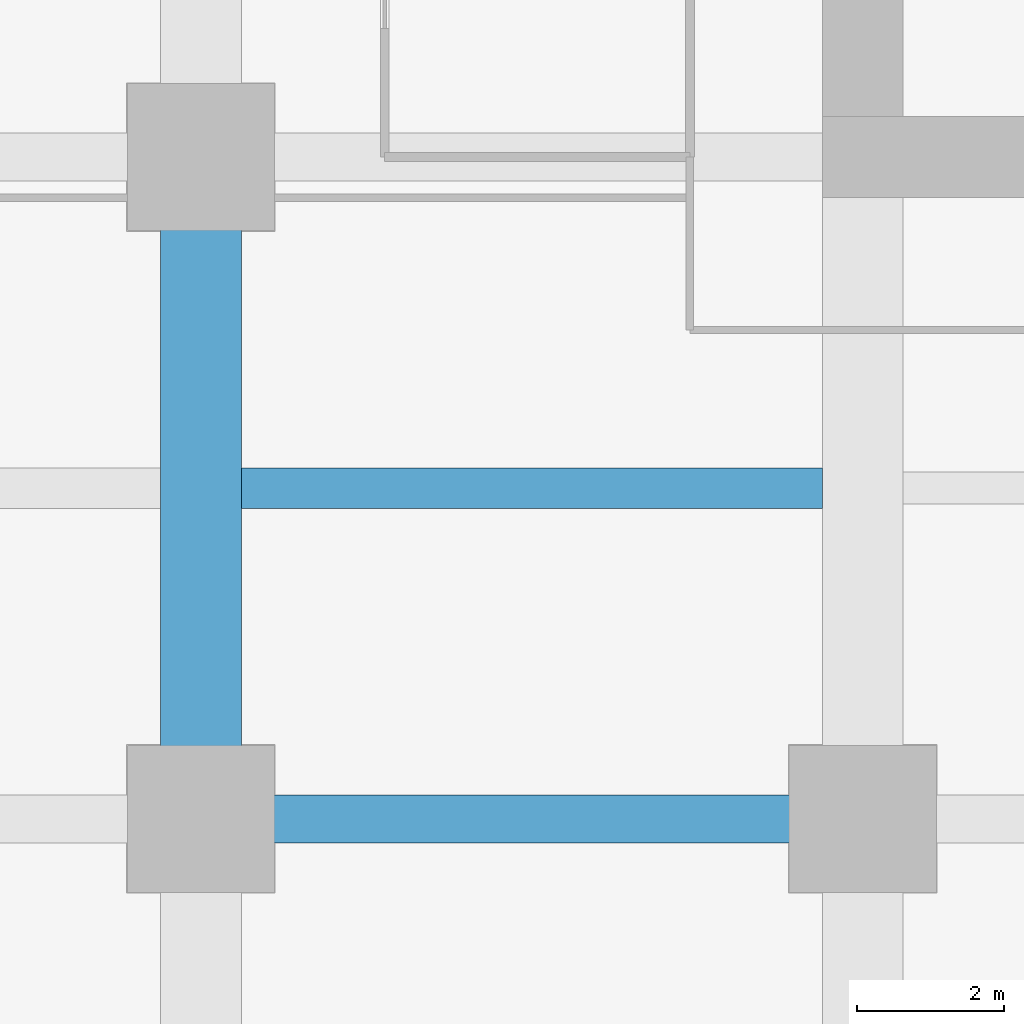
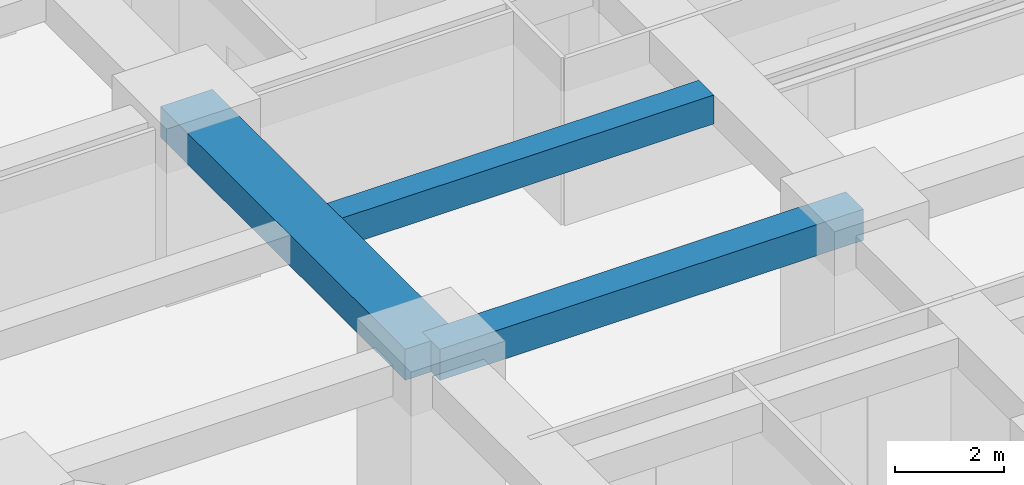
# One storey, part 5 of 41: 3 beams.
"""IFC4 building model written with IfcOpenShell, lengths in metres."""

from ifc_helpers import new_model, si_unit, direction, frame, origin, origin_2d, place, context, subcontext, project, spatial, rectangle, extrude, material, material_profile, profile_set, type_object, element, save


model = new_model("IFC4")

# Units and contexts
model_context = context("Model", 3, precision=1e-05, world=origin(), true_north=direction((0.0, 1.0)))
body_context = subcontext(model_context, "Body", "Model", "MODEL_VIEW")
ifc_project = project(units=[si_unit("LENGTHUNIT", "METRE"), si_unit("AREAUNIT", "SQUARE_METRE"), si_unit("VOLUMEUNIT", "CUBIC_METRE"), si_unit("PLANEANGLEUNIT", "RADIAN"), si_unit("MASSUNIT", "GRAM", prefix="KILO")], contexts=[model_context])

# Site, building, storey
site_placement = place(None, origin())
site = spatial("IfcSite", under=ifc_project, at=site_placement, CompositionType="ELEMENT")
building_placement = place(site_placement, origin())
building = spatial("IfcBuilding", under=site, at=building_placement, Name="Zorevar Civic Tower", CompositionType="ELEMENT")
storey_placement = place(building_placement, frame((0.0, 0.0, 97.0)))
storey = spatial("IfcBuildingStorey", under=building, at=storey_placement, Name="L23", CompositionType="ELEMENT", Elevation=97.0)

# Beams
ifc_material_1 = material(Name="Concrete C50/60", Category="concrete")
ifc_material_profile_1 = material_profile(ifc_material_1, rectangle(XDim=1.10009765625, YDim=0.699951171875, at=origin_2d()), Name="RC 1100x700")
ifc_profile_set_1 = profile_set([ifc_material_profile_1], Name="Concrete C50/60")
beam_type_1 = type_object("IfcBeamType", Name="Beam RC 1100x700", PredefinedType="BEAM", material=ifc_profile_set_1)
beam_1_placement = place(storey_placement, frame((9.0, 9.0, 3.39990234375), z_axis=(0.0, 1.0, 0.0), x_axis=(-1.0, 0.0, 0.0)))
element("IfcBeam", 1, at=beam_1_placement, inside=storey, type_object=beam_type_1, Name="Girder L24", PredefinedType="BEAM", context=body_context, shape_type="SweptSolid", body=[
    extrude(rectangle(XDim=1.10009765625, YDim=0.699951171875, at=origin_2d()), origin(), (0.0, 0.0, 1.0), 9.0),
])
ifc_material_2 = material(Name="Concrete C50/60", Category="concrete")
ifc_material_profile_2 = material_profile(ifc_material_2, rectangle(XDim=0.550048828125, YDim=0.64990234375, at=origin_2d()), Name="RC 550x650")
ifc_profile_set_2 = profile_set([ifc_material_profile_2], Name="Concrete C50/60")
beam_type_2 = type_object("IfcBeamType", Name="Beam RC 550x650", PredefinedType="BEAM", material=ifc_profile_set_2)
beam_2_placement = place(storey_placement, frame((9.550048828125, 13.5, 3.425048828125), z_axis=(1.0, 0.0, 0.0), x_axis=(0.0, 1.0, 0.0)))
element("IfcBeam", 2, at=beam_2_placement, inside=storey, type_object=beam_type_2, Name="Secondary beam L24", PredefinedType="BEAM", context=body_context, shape_type="SweptSolid", body=[
    extrude(rectangle(XDim=0.550048828125, YDim=0.64990234375, at=origin_2d()), origin(), (0.0, 0.0, 1.0), 7.89990234375),
])
ifc_material_3 = material(Name="Concrete C50/60", Category="concrete")
ifc_material_profile_3 = material_profile(ifc_material_3, rectangle(XDim=0.64990234375, YDim=0.699951171875, at=origin_2d()), Name="RC 650x700")
ifc_profile_set_3 = profile_set([ifc_material_profile_3], Name="Concrete C50/60")
beam_type_3 = type_object("IfcBeamType", Name="Beam RC 650x700", PredefinedType="BEAM", material=ifc_profile_set_3)
beam_3_placement = place(storey_placement, frame((9.0, 9.0, 3.39990234375), z_axis=(1.0, 0.0, 0.0), x_axis=(0.0, 1.0, 0.0)))
element("IfcBeam", 3, at=beam_3_placement, inside=storey, type_object=beam_type_3, Name="Girder L24", PredefinedType="BEAM", context=body_context, shape_type="SweptSolid", body=[
    extrude(rectangle(XDim=0.64990234375, YDim=0.699951171875, at=origin_2d()), origin(), (0.0, 0.0, 1.0), 9.0),
])

save(model, "model.ifc")
